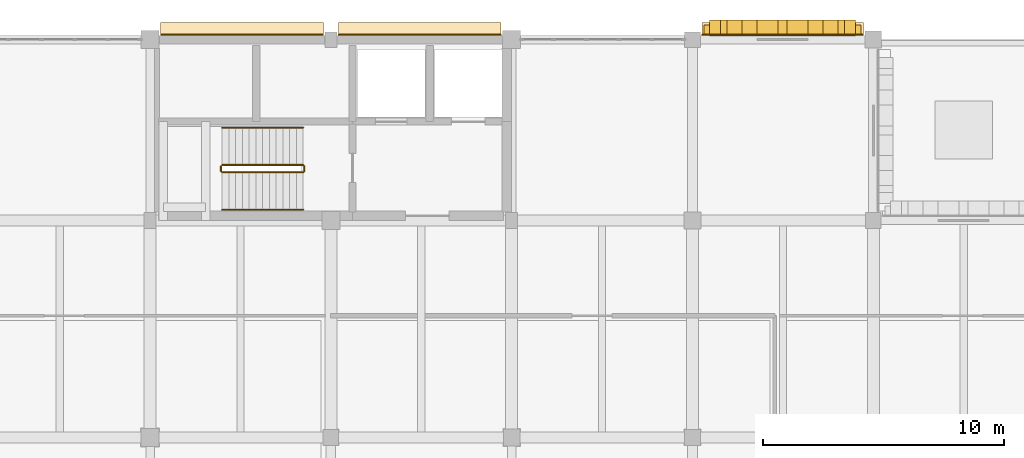
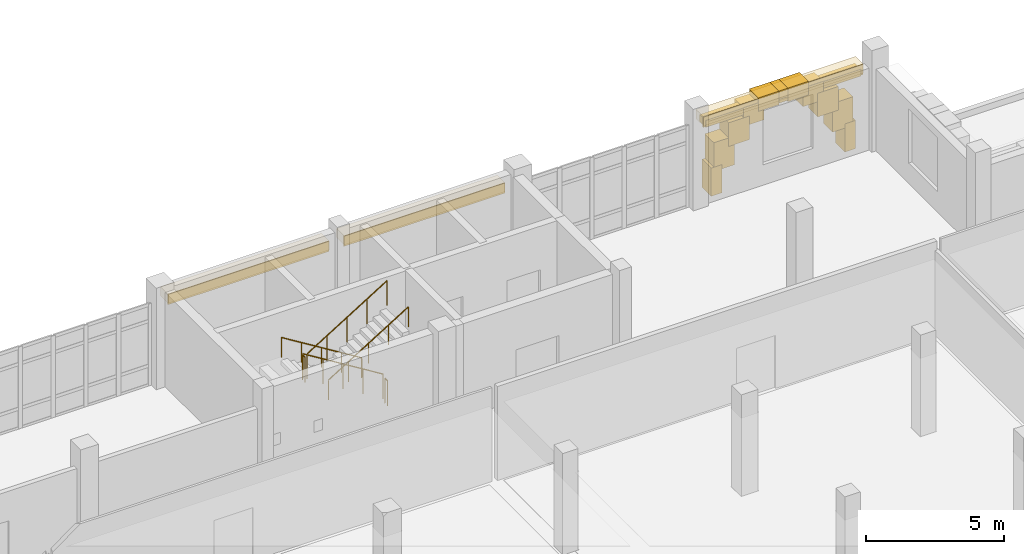
# One storey, part 121 of 128: 17 coverings, 6 railings, 1 shading device.
"""IFC4 building model written with IfcOpenShell, lengths in metres."""

from ifc_helpers import new_model, si_unit, direction, frame, origin, origin_2d, place, context, subcontext, project, spatial, rectangle, circle, extrude, material, layer, layer_set, type_object, element, save


model = new_model("IFC4")

# Units and contexts
model_context = context("Model", 3, precision=1e-05, world=origin(), true_north=direction((0.0, 1.0)))
body_context = subcontext(model_context, "Body", "Model", "MODEL_VIEW")
ifc_project = project(units=[si_unit("LENGTHUNIT", "METRE"), si_unit("AREAUNIT", "SQUARE_METRE"), si_unit("VOLUMEUNIT", "CUBIC_METRE"), si_unit("PLANEANGLEUNIT", "RADIAN"), si_unit("MASSUNIT", "GRAM", prefix="KILO")], contexts=[model_context])

# Site, building, storey
site_placement = place(None, origin())
site = spatial("IfcSite", under=ifc_project, at=site_placement, CompositionType="ELEMENT")
building_placement = place(site_placement, origin())
building = spatial("IfcBuilding", under=site, at=building_placement, Name="Dalvernix Boulevard General Hospital", CompositionType="ELEMENT")
storey_placement = place(building_placement, frame((0.0, 0.0, 4.800048828125)))
storey = spatial("IfcBuildingStorey", under=building, at=storey_placement, Name="L01", CompositionType="ELEMENT", Elevation=4.800048828125)

# Coverings
ifc_material_1 = material(Name="Pressed Catalan clay brick and dressed limestone parabolic archivolt", Category="masonry")
ifc_layer_1 = layer(ifc_material_1, 0.419921875)
ifc_layer_set_1 = layer_set([ifc_layer_1], Name="Pressed Catalan clay brick and dressed limestone parabolic archivolt (COV-ARC-01)")
covering_type_1 = type_object("IfcCoveringType", Name="COV-ARC-01", PredefinedType="CLADDING", material=ifc_layer_set_1)
for number, where, z_axis, x_axis, name in (
    (1, (120.9375, 117.485107421875, 0.0), (0.0, 0.0, 1.0), (1.0, 0.0, 0.0), "L01 Catalan parabolic arch impost pier N 16-15-L"),
    (2, (126.53759765625, 117.485107421875, 0.0), (0.0, 0.0, 1.0), (1.0, 0.0, 0.0), "L01 Catalan parabolic arch impost pier N 16-15-R"),
):
    element("IfcCovering", number, at=place(storey_placement, frame(where, z_axis=z_axis, x_axis=x_axis)), inside=storey, type_object=covering_type_1, Name=name, PredefinedType="CLADDING", context=body_context, shape_type="SweptSolid", body=[
        extrude(rectangle(XDim=0.4599609375, YDim=0.659912109375, at=origin_2d()), origin(), (0.0, 0.0, 1.0), 1.25),
    ])
covering_1_placement = place(storey_placement, frame((121.24853515625, 117.485107421875, 1.06005859375), z_axis=(0.0, 0.0, 1.0), x_axis=(1.0, 0.0, 0.0)))
element("IfcCovering", 3, at=covering_1_placement, inside=storey, type_object=covering_type_1, Name="L01 Catalan parabolic archivolt voussoir N 16-15-1", PredefinedType="CLADDING", context=body_context, shape_type="SweptSolid", body=[
    extrude(rectangle(XDim=0.8623046875, YDim=0.659912109375, at=origin_2d()), origin(), (0.0, 0.0, 1.0), 1.272705078125),
])
covering_2_placement = place(storey_placement, frame((121.870849609375, 117.485107421875, 1.95263671875), z_axis=(0.0, 0.0, 1.0), x_axis=(1.0, 0.0, 0.0)))
element("IfcCovering", 4, at=covering_2_placement, inside=storey, type_object=covering_type_1, Name="L01 Catalan parabolic archivolt voussoir N 16-15-2", PredefinedType="CLADDING", context=body_context, shape_type="SweptSolid", body=[
    extrude(rectangle(XDim=0.8623046875, YDim=0.659912109375, at=origin_2d()), origin(), (0.0, 0.0, 1.0), 1.049560546875),
])
covering_3_placement = place(storey_placement, frame((122.4931640625, 117.485107421875, 2.62255859375), z_axis=(0.0, 0.0, 1.0), x_axis=(1.0, 0.0, 0.0)))
element("IfcCovering", 5, at=covering_3_placement, inside=storey, type_object=covering_type_1, Name="L01 Catalan parabolic archivolt voussoir N 16-15-3", PredefinedType="CLADDING", context=body_context, shape_type="SweptSolid", body=[
    extrude(rectangle(XDim=0.8623046875, YDim=0.659912109375, at=origin_2d()), origin(), (0.0, 0.0, 1.0), 0.826416015625),
])
covering_4_placement = place(storey_placement, frame((123.115234375, 117.485107421875, 3.06884765625), z_axis=(0.0, 0.0, 1.0), x_axis=(1.0, 0.0, 0.0)))
element("IfcCovering", 6, at=covering_4_placement, inside=storey, type_object=covering_type_1, Name="L01 Catalan parabolic archivolt voussoir N 16-15-4", PredefinedType="CLADDING", context=body_context, shape_type="SweptSolid", body=[
    extrude(rectangle(XDim=0.8623046875, YDim=0.659912109375, at=origin_2d()), origin(), (0.0, 0.0, 1.0), 0.603271484375),
])
covering_5_placement = place(storey_placement, frame((123.737548828125, 117.485107421875, 3.2919921875), z_axis=(0.0, 0.0, 1.0), x_axis=(1.0, 0.0, 0.0)))
element("IfcCovering", 7, at=covering_5_placement, inside=storey, type_object=covering_type_1, Name="L01 Catalan parabolic archivolt voussoir N 16-15-5", PredefinedType="CLADDING", context=body_context, shape_type="SweptSolid", body=[
    extrude(rectangle(XDim=0.8623046875, YDim=0.659912109375, at=origin_2d()), origin(), (0.0, 0.0, 1.0), 0.3798828125),
])
covering_6_placement = place(storey_placement, frame((124.359619140625, 117.485107421875, 3.06884765625), z_axis=(0.0, 0.0, 1.0), x_axis=(1.0, 0.0, 0.0)))
element("IfcCovering", 8, at=covering_6_placement, inside=storey, type_object=covering_type_1, Name="L01 Catalan parabolic archivolt voussoir N 16-15-6", PredefinedType="CLADDING", context=body_context, shape_type="SweptSolid", body=[
    extrude(rectangle(XDim=0.8623046875, YDim=0.659912109375, at=origin_2d()), origin(), (0.0, 0.0, 1.0), 0.603271484375),
])
covering_7_placement = place(storey_placement, frame((124.98193359375, 117.485107421875, 2.62255859375), z_axis=(0.0, 0.0, 1.0), x_axis=(1.0, 0.0, 0.0)))
element("IfcCovering", 9, at=covering_7_placement, inside=storey, type_object=covering_type_1, Name="L01 Catalan parabolic archivolt voussoir N 16-15-7", PredefinedType="CLADDING", context=body_context, shape_type="SweptSolid", body=[
    extrude(rectangle(XDim=0.8623046875, YDim=0.659912109375, at=origin_2d()), origin(), (0.0, 0.0, 1.0), 0.826416015625),
])
covering_8_placement = place(storey_placement, frame((125.604248046875, 117.485107421875, 1.95263671875), z_axis=(0.0, 0.0, 1.0), x_axis=(1.0, 0.0, 0.0)))
element("IfcCovering", 10, at=covering_8_placement, inside=storey, type_object=covering_type_1, Name="L01 Catalan parabolic archivolt voussoir N 16-15-8", PredefinedType="CLADDING", context=body_context, shape_type="SweptSolid", body=[
    extrude(rectangle(XDim=0.8623046875, YDim=0.659912109375, at=origin_2d()), origin(), (0.0, 0.0, 1.0), 1.049560546875),
])
covering_9_placement = place(storey_placement, frame((126.226318359375, 117.485107421875, 1.06005859375), z_axis=(0.0, 0.0, 1.0), x_axis=(1.0, 0.0, 0.0)))
element("IfcCovering", 11, at=covering_9_placement, inside=storey, type_object=covering_type_1, Name="L01 Catalan parabolic archivolt voussoir N 16-15-9", PredefinedType="CLADDING", context=body_context, shape_type="SweptSolid", body=[
    extrude(rectangle(XDim=0.8623046875, YDim=0.659912109375, at=origin_2d()), origin(), (0.0, 0.0, 1.0), 1.272705078125),
])
ifc_material_2 = material(Name="Polychrome Catalan glazed ceramic spandrel tile panel")
ifc_layer_2 = layer(ifc_material_2, 0.044921875)
ifc_layer_set_2 = layer_set([ifc_layer_2], Name="Polychrome Catalan glazed ceramic spandrel tile panel (COV-CLD-01)")
covering_type_2 = type_object("IfcCoveringType", Name="COV-CLD-01", PredefinedType="CLADDING", material=ifc_layer_set_2)
for number, where, z_axis, x_axis, name in (
    (12, (101.3125, 117.195068359375, 3.15478515625), (0.0, 0.0, 1.0), (1.0, 0.0, 0.0), "L01 polychrome ceramic spandrel N 13-15"),
    (13, (108.6875, 117.195068359375, 3.15478515625), (0.0, 0.0, 1.0), (1.0, 0.0, 0.0), "L01 polychrome ceramic spandrel N 14-15"),
):
    element("IfcCovering", number, at=place(storey_placement, frame(where, z_axis=z_axis, x_axis=x_axis)), inside=storey, type_object=covering_type_2, Name=name, PredefinedType="CLADDING", context=body_context, shape_type="SweptSolid", body=[
        extrude(rectangle(XDim=6.7548828125, YDim=0.044921875, at=origin_2d()), origin(), (0.0, 0.0, 1.0), 0.449951171875),
    ])
covering_10_placement = place(storey_placement, frame((123.737548828125, 117.195068359375, 3.15478515625), z_axis=(0.0, 0.0, 1.0), x_axis=(1.0, 0.0, 0.0)))
element("IfcCovering", 14, at=covering_10_placement, inside=storey, type_object=covering_type_2, Name="L01 polychrome ceramic spandrel N 16-15", PredefinedType="CLADDING", context=body_context, shape_type="SweptSolid", body=[
    extrude(rectangle(XDim=6.705078125, YDim=0.044921875, at=origin_2d()), origin(), (0.0, 0.0, 1.0), 0.449951171875),
])
ifc_material_3 = material(Name="Dressed ochre limestone classical plinth, stringcourse and corbelled cornice", Category="masonry")
ifc_layer_3 = layer(ifc_material_3, 0.449951171875)
ifc_layer_set_3 = layer_set([ifc_layer_3], Name="Dressed ochre limestone classical plinth, stringcourse and corbelled cornice (COV-CRN-01)")
covering_type_3 = type_object("IfcCoveringType", Name="COV-CRN-01", PredefinedType="CLADDING", material=ifc_layer_set_3)
for number, where, z_axis, x_axis, name in (
    (15, (101.3125, 117.43505859375, 3.22998046875), (0.0, 0.0, 1.0), (1.0, 0.0, 0.0), "L01 classical corbelled cornice frieze N 13-15"),
    (16, (108.6875, 117.43505859375, 3.22998046875), (0.0, 0.0, 1.0), (1.0, 0.0, 0.0), "L01 classical corbelled cornice frieze N 14-15"),
):
    element("IfcCovering", number, at=place(storey_placement, frame(where, z_axis=z_axis, x_axis=x_axis)), inside=storey, type_object=covering_type_3, Name=name, PredefinedType="CLADDING", context=body_context, shape_type="SweptSolid", body=[
        extrude(rectangle(XDim=6.7548828125, YDim=0.56005859375, at=origin_2d()), origin(), (0.0, 0.0, 1.0), 0.39990234375),
    ])
covering_11_placement = place(storey_placement, frame((123.737548828125, 117.43505859375, 3.22998046875), z_axis=(0.0, 0.0, 1.0), x_axis=(1.0, 0.0, 0.0)))
element("IfcCovering", 17, at=covering_11_placement, inside=storey, type_object=covering_type_3, Name="L01 classical corbelled cornice frieze N 16-15", PredefinedType="CLADDING", context=body_context, shape_type="SweptSolid", body=[
    extrude(rectangle(XDim=6.705078125, YDim=0.56005859375, at=origin_2d()), origin(), (0.0, 0.0, 1.0), 0.39990234375),
])

# Railings
ifc_material_4 = material(Name="Brushed stainless steel balustrade", Category="steel")
railing_type_1 = type_object("IfcRailingType", Name="RL-GR-INT1", PredefinedType="BALUSTRADE", material=ifc_material_4)
railing_1_placement = place(storey_placement, frame((103.85009765625, 111.800048828125, 0.173095703125)))
element("IfcRailing", 18, at=railing_1_placement, inside=storey, type_object=railing_type_1, Name="L01 ST-04 stair guard 1", PredefinedType="BALUSTRADE", context=body_context, shape_type="SweptSolid", body=[
    extrude(circle(Radius=0.02392578125, at=origin_2d()), frame((0.0, 0.0, 1.09619140625), z_axis=(-0.850623216509, 0.0, 0.525775754039), x_axis=(0.0, -1.0, 0.0)), (0.0, 0.0, 1.0), 3.9501953125),
    extrude(circle(Radius=0.02099609375, at=origin_2d()), origin(), (0.0, 0.0, 1.0), 1.072021484375),
    extrude(circle(Radius=0.02099609375, at=origin_2d()), frame((-0.840087890625, 0.0, 0.519287109375)), (0.0, 0.0, 1.0), 1.072021484375),
    extrude(circle(Radius=0.02099609375, at=origin_2d()), frame((-1.68017578125, 0.0, 1.03857421875)), (0.0, 0.0, 1.0), 1.072021484375),
    extrude(circle(Radius=0.02099609375, at=origin_2d()), frame((-2.52001953125, 0.0, 1.5576171875)), (0.0, 0.0, 1.0), 1.072021484375),
    extrude(circle(Radius=0.02099609375, at=origin_2d()), frame((-3.360107421875, 0.0, 2.076904296875)), (0.0, 0.0, 1.0), 1.072021484375),
])
railing_2_placement = place(storey_placement, frame((100.43994140625, 111.75, 2.25)))
element("IfcRailing", 19, at=railing_2_placement, inside=storey, type_object=railing_type_1, Name="L01 ST-04 stair guard 2", PredefinedType="BALUSTRADE", context=body_context, shape_type="SweptSolid", body=[
    extrude(circle(Radius=0.02392578125, at=origin_2d()), frame((0.0, 0.0, 1.09619140625), z_axis=(0.0, -1.0, 0.0), x_axis=(1.0, 0.0, 0.0)), (0.0, 0.0, 1.0), 0.199951171875),
    extrude(circle(Radius=0.02099609375, at=origin_2d()), origin(), (0.0, 0.0, 1.0), 1.072021484375),
    extrude(circle(Radius=0.02099609375, at=origin_2d()), frame((0.0, -0.199951171875, 0.0)), (0.0, 0.0, 1.0), 1.072021484375),
])
railing_3_placement = place(storey_placement, frame((100.489990234375, 111.5, 2.423095703125)))
element("IfcRailing", 20, at=railing_3_placement, inside=storey, type_object=railing_type_1, Name="L01 ST-04 stair guard 3", PredefinedType="BALUSTRADE", context=body_context, shape_type="SweptSolid", body=[
    extrude(circle(Radius=0.02392578125, at=origin_2d()), frame((0.0, 0.0, 1.09619140625), z_axis=(0.850623216509, 0.0, 0.525775754039), x_axis=(0.0, 1.0, 0.0)), (0.0, 0.0, 1.0), 3.9501953125),
    extrude(circle(Radius=0.02099609375, at=origin_2d()), origin(), (0.0, 0.0, 1.0), 1.072021484375),
    extrude(circle(Radius=0.02099609375, at=origin_2d()), frame((0.840087890625, 0.0, 0.519287109375)), (0.0, 0.0, 1.0), 1.072021484375),
    extrude(circle(Radius=0.02099609375, at=origin_2d()), frame((1.68017578125, 0.0, 1.03857421875)), (0.0, 0.0, 1.0), 1.072021484375),
    extrude(circle(Radius=0.02099609375, at=origin_2d()), frame((2.52001953125, 0.0, 1.5576171875)), (0.0, 0.0, 1.0), 1.072021484375),
    extrude(circle(Radius=0.02099609375, at=origin_2d()), frame((3.360107421875, 0.0, 2.076904296875)), (0.0, 0.0, 1.0), 1.072021484375),
])
railing_4_placement = place(storey_placement, frame((103.89990234375, 111.75, 0.0)))
element("IfcRailing", 21, at=railing_4_placement, inside=storey, type_object=railing_type_1, Name="L01 ST-04 stair guard 4", PredefinedType="BALUSTRADE", context=body_context, shape_type="SweptSolid", body=[
    extrude(circle(Radius=0.02392578125, at=origin_2d()), frame((0.0, 0.0, 1.09619140625), z_axis=(0.0, -1.0, 0.0), x_axis=(1.0, 0.0, 0.0)), (0.0, 0.0, 1.0), 0.199951171875),
    extrude(circle(Radius=0.02099609375, at=origin_2d()), origin(), (0.0, 0.0, 1.0), 1.072021484375),
    extrude(circle(Radius=0.02099609375, at=origin_2d()), frame((0.0, -0.199951171875, 0.0)), (0.0, 0.0, 1.0), 1.072021484375),
])
ifc_material_5 = material(Name="Brushed stainless steel wall handrail", Category="steel")
railing_type_2 = type_object("IfcRailingType", Name="RL-HR-INT1", PredefinedType="HANDRAIL", material=ifc_material_5)
railing_5_placement = place(storey_placement, frame((103.85009765625, 113.35009765625, 0.173095703125)))
element("IfcRailing", 22, at=railing_5_placement, inside=storey, type_object=railing_type_2, Name="L01 ST-04 stair handrail 1", PredefinedType="HANDRAIL", context=body_context, shape_type="SweptSolid", body=[
    extrude(circle(Radius=0.02392578125, at=origin_2d()), frame((0.0, 0.0, 0.8759765625), z_axis=(-0.850623216509, 0.0, 0.525775754039), x_axis=(0.0, -1.0, 0.0)), (0.0, 0.0, 1.0), 3.9501953125),
    extrude(circle(Radius=0.02099609375, at=origin_2d()), origin(), (0.0, 0.0, 1.0), 0.851806640625),
    extrude(circle(Radius=0.02099609375, at=origin_2d()), frame((-0.840087890625, 0.0, 0.519287109375)), (0.0, 0.0, 1.0), 0.851806640625),
    extrude(circle(Radius=0.02099609375, at=origin_2d()), frame((-1.68017578125, 0.0, 1.03857421875)), (0.0, 0.0, 1.0), 0.851806640625),
    extrude(circle(Radius=0.02099609375, at=origin_2d()), frame((-2.52001953125, 0.0, 1.5576171875)), (0.0, 0.0, 1.0), 0.851806640625),
    extrude(circle(Radius=0.02099609375, at=origin_2d()), frame((-3.360107421875, 0.0, 2.076904296875)), (0.0, 0.0, 1.0), 0.851806640625),
])
railing_6_placement = place(storey_placement, frame((100.489990234375, 109.949951171875, 2.423095703125)))
element("IfcRailing", 23, at=railing_6_placement, inside=storey, type_object=railing_type_2, Name="L01 ST-04 stair handrail 2", PredefinedType="HANDRAIL", context=body_context, shape_type="SweptSolid", body=[
    extrude(circle(Radius=0.02392578125, at=origin_2d()), frame((0.0, 0.0, 0.8759765625), z_axis=(0.850623216509, 0.0, 0.525775754039), x_axis=(0.0, 1.0, 0.0)), (0.0, 0.0, 1.0), 3.9501953125),
    extrude(circle(Radius=0.02099609375, at=origin_2d()), origin(), (0.0, 0.0, 1.0), 0.851806640625),
    extrude(circle(Radius=0.02099609375, at=origin_2d()), frame((0.840087890625, 0.0, 0.519287109375)), (0.0, 0.0, 1.0), 0.851806640625),
    extrude(circle(Radius=0.02099609375, at=origin_2d()), frame((1.68017578125, 0.0, 1.03857421875)), (0.0, 0.0, 1.0), 0.851806640625),
    extrude(circle(Radius=0.02099609375, at=origin_2d()), frame((2.52001953125, 0.0, 1.5576171875)), (0.0, 0.0, 1.0), 0.851806640625),
    extrude(circle(Radius=0.02099609375, at=origin_2d()), frame((3.360107421875, 0.0, 2.076904296875)), (0.0, 0.0, 1.0), 0.851806640625),
])

# Shading device
ifc_material_6 = material(Name="Extruded aluminium solar jalousie louvre bank", Category="aluminium")
shading_device_type = type_object("IfcShadingDeviceType", Name="SHD-JAL-01", PredefinedType="JALOUSIE", material=ifc_material_6)
shading_device_placement = place(storey_placement, frame((123.737548828125, 117.385009765625, 3.1298828125), z_axis=(0.0, 0.0, 1.0), x_axis=(1.0, 0.0, 0.0)))
element("IfcShadingDevice", 24, at=shading_device_placement, inside=storey, type_object=shading_device_type, Name="L01 solar jalousie louvre N 16-15", PredefinedType="JALOUSIE", context=body_context, shape_type="SweptSolid", body=[
    extrude(rectangle(XDim=6.5048828125, YDim=0.449951171875, at=origin_2d()), origin(), (0.0, 0.0, 1.0), 0.300048828125),
])

save(model, "model.ifc")
